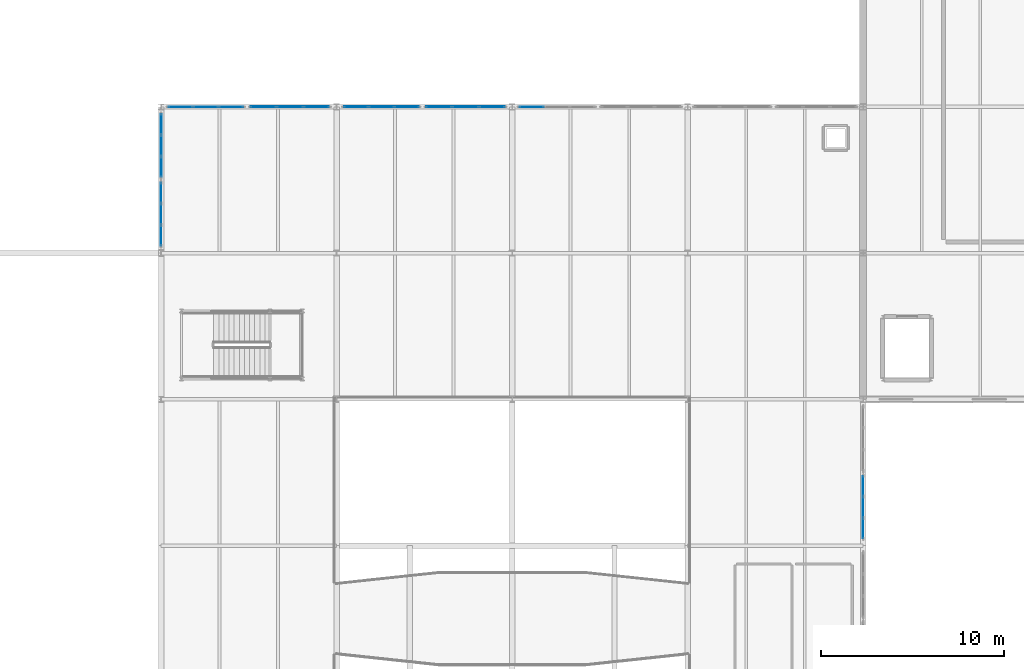
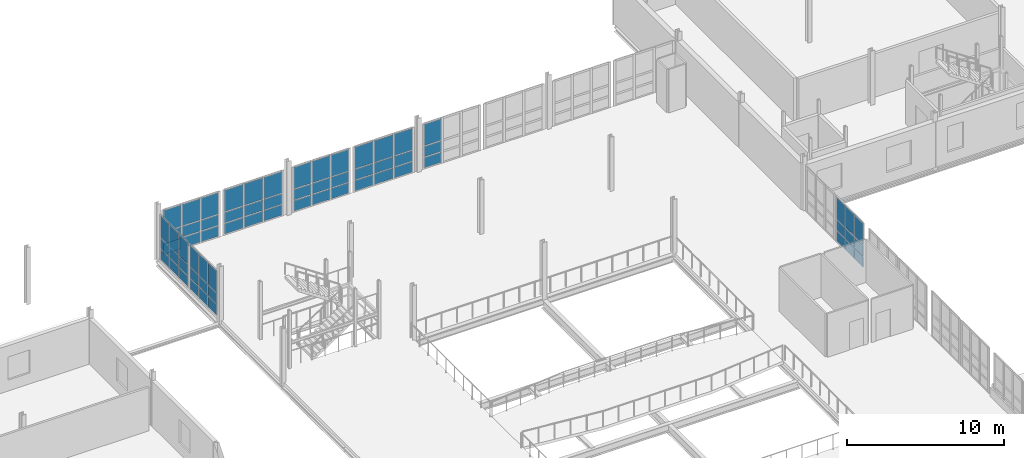
# One storey, part 50 of 73: 66 plates, 8 elements without a shape of their own.
"""IFC4 building model written with IfcOpenShell, lengths in metres."""

from ifc_helpers import new_model, si_unit, direction, frame, origin, origin_2d, place, context, subcontext, project, spatial, rectangle, extrude, material, layer, layer_set, type_object, element, aggregate, save


model = new_model("IFC4")

# Units and contexts
model_context = context("Model", 3, precision=1e-05, world=origin(), true_north=direction((0.0, 1.0)))
body_context = subcontext(model_context, "Body", "Model", "MODEL_VIEW")
ifc_project = project(units=[si_unit("LENGTHUNIT", "METRE"), si_unit("AREAUNIT", "SQUARE_METRE"), si_unit("VOLUMEUNIT", "CUBIC_METRE"), si_unit("PLANEANGLEUNIT", "RADIAN"), si_unit("MASSUNIT", "GRAM", prefix="KILO")], contexts=[model_context])

# Site, building, storey
site_placement = place(None, origin())
site = spatial("IfcSite", under=ifc_project, at=site_placement, CompositionType="ELEMENT")
building_placement = place(site_placement, origin())
building = spatial("IfcBuilding", under=site, at=building_placement, Name="Alderhovde Museum", CompositionType="ELEMENT")
storey_placement = place(building_placement, frame((0.0, 0.0, 12.89990234375)))
storey = spatial("IfcBuildingStorey", under=building, at=storey_placement, Name="L03", CompositionType="ELEMENT", Elevation=12.89990234375)

# Curtain wall, plates
ifc_material_1 = material(Name="Triple-Glazed Bronze-Anodised Curtain Wall", Category="glass")
ifc_layer_1 = layer(ifc_material_1, 0.179931640625)
ifc_layer_set_1 = layer_set([ifc_layer_1], Name="Triple-Glazed Bronze-Anodised Curtain Wall")
curtain_wall_type_1 = type_object("IfcCurtainWallType", Name="CW-UNIT-420x354", PredefinedType="USERDEFINED", material=ifc_layer_set_1)
curtain_wall_1_placement = place(storey_placement, origin())
curtain_wall_1 = element("IfcCurtainWall", 1, at=curtain_wall_1_placement, inside=storey, type_object=curtain_wall_type_1, Name="L03 Unitised Curtain Wall 48", ObjectType="UNITISED CURTAIN WALL", PredefinedType="USERDEFINED")
ifc_material_2 = material(Name="Triple-Glazed Low-E Laminated Glass", Category="glass")
ifc_layer_2 = layer(ifc_material_2, 0.028076171875)
ifc_layer_set_2 = layer_set([ifc_layer_2], Name="Triple-Glazed Low-E Laminated Glass")
plate_type_1 = type_object("IfcPlateType", Name="CWP-GLAZ-28", PredefinedType="CURTAIN_PANEL", material=ifc_layer_set_2)
plate_1_placement = place(storey_placement, frame((77.8662109375, 88.0, 0.06494140625), z_axis=(0.0, 0.0, 1.0), x_axis=(1.0, 0.0, 0.0)))
plate_1 = element("IfcPlate", 2, at=plate_1_placement, type_object=plate_type_1, Name="CW15 panel 1.1", PredefinedType="CURTAIN_PANEL", context=body_context, shape_type="SweptSolid", body=[
    extrude(rectangle(XDim=1.302490234375, YDim=0.028076171875, at=origin_2d()), origin(), (0.0, 0.0, 1.0), 0.802490234375),
])
plate_2_placement = place(storey_placement, frame((77.8662109375, 88.0, 0.9326171875), z_axis=(0.0, 0.0, 1.0), x_axis=(1.0, 0.0, 0.0)))
plate_2 = element("IfcPlate", 3, at=plate_2_placement, type_object=plate_type_1, Name="CW15 panel 1.2", PredefinedType="CURTAIN_PANEL", context=body_context, shape_type="SweptSolid", body=[
    extrude(rectangle(XDim=1.302490234375, YDim=0.028076171875, at=origin_2d()), origin(), (0.0, 0.0, 1.0), 0.804931640625),
])
plate_3_placement = place(storey_placement, frame((77.8662109375, 88.0, 1.802734375), z_axis=(0.0, 0.0, 1.0), x_axis=(1.0, 0.0, 0.0)))
plate_3 = element("IfcPlate", 4, at=plate_3_placement, type_object=plate_type_1, Name="CW15 panel 1.3", PredefinedType="CURTAIN_PANEL", context=body_context, shape_type="SweptSolid", body=[
    extrude(rectangle(XDim=1.302490234375, YDim=0.028076171875, at=origin_2d()), origin(), (0.0, 0.0, 1.0), 1.672607421875),
])
plate_4_placement = place(storey_placement, frame((79.25, 88.0, 0.06494140625), z_axis=(0.0, 0.0, 1.0), x_axis=(1.0, 0.0, 0.0)))
plate_4 = element("IfcPlate", 5, at=plate_4_placement, type_object=plate_type_1, Name="CW15 panel 2.1", PredefinedType="CURTAIN_PANEL", context=body_context, shape_type="SweptSolid", body=[
    extrude(rectangle(XDim=1.3349609375, YDim=0.028076171875, at=origin_2d()), origin(), (0.0, 0.0, 1.0), 0.802490234375),
])
plate_5_placement = place(storey_placement, frame((79.25, 88.0, 0.9326171875), z_axis=(0.0, 0.0, 1.0), x_axis=(1.0, 0.0, 0.0)))
plate_5 = element("IfcPlate", 6, at=plate_5_placement, type_object=plate_type_1, Name="CW15 panel 2.2", PredefinedType="CURTAIN_PANEL", context=body_context, shape_type="SweptSolid", body=[
    extrude(rectangle(XDim=1.3349609375, YDim=0.028076171875, at=origin_2d()), origin(), (0.0, 0.0, 1.0), 0.804931640625),
])
plate_6_placement = place(storey_placement, frame((79.25, 88.0, 1.802734375), z_axis=(0.0, 0.0, 1.0), x_axis=(1.0, 0.0, 0.0)))
plate_6 = element("IfcPlate", 7, at=plate_6_placement, type_object=plate_type_1, Name="CW15 panel 2.3", PredefinedType="CURTAIN_PANEL", context=body_context, shape_type="SweptSolid", body=[
    extrude(rectangle(XDim=1.3349609375, YDim=0.028076171875, at=origin_2d()), origin(), (0.0, 0.0, 1.0), 1.672607421875),
])
plate_7_placement = place(storey_placement, frame((80.6337890625, 88.0, 0.06494140625), z_axis=(0.0, 0.0, 1.0), x_axis=(1.0, 0.0, 0.0)))
plate_7 = element("IfcPlate", 8, at=plate_7_placement, type_object=plate_type_1, Name="CW15 panel 3.1", PredefinedType="CURTAIN_PANEL", context=body_context, shape_type="SweptSolid", body=[
    extrude(rectangle(XDim=1.302490234375, YDim=0.028076171875, at=origin_2d()), origin(), (0.0, 0.0, 1.0), 0.802490234375),
])
plate_8_placement = place(storey_placement, frame((80.6337890625, 88.0, 0.9326171875), z_axis=(0.0, 0.0, 1.0), x_axis=(1.0, 0.0, 0.0)))
plate_8 = element("IfcPlate", 9, at=plate_8_placement, type_object=plate_type_1, Name="CW15 panel 3.2", PredefinedType="CURTAIN_PANEL", context=body_context, shape_type="SweptSolid", body=[
    extrude(rectangle(XDim=1.302490234375, YDim=0.028076171875, at=origin_2d()), origin(), (0.0, 0.0, 1.0), 0.804931640625),
])
plate_9_placement = place(storey_placement, frame((80.6337890625, 88.0, 1.802734375), z_axis=(0.0, 0.0, 1.0), x_axis=(1.0, 0.0, 0.0)))
plate_9 = element("IfcPlate", 10, at=plate_9_placement, type_object=plate_type_1, Name="CW15 panel 3.3", PredefinedType="CURTAIN_PANEL", context=body_context, shape_type="SweptSolid", body=[
    extrude(rectangle(XDim=1.302490234375, YDim=0.028076171875, at=origin_2d()), origin(), (0.0, 0.0, 1.0), 1.672607421875),
])
aggregate(curtain_wall_1, [plate_1, plate_2, plate_3, plate_4, plate_5, plate_6, plate_7, plate_8, plate_9])

curtain_wall_2_placement = place(storey_placement, origin())
curtain_wall_2 = element("IfcCurtainWall", 11, at=curtain_wall_2_placement, inside=storey, type_object=curtain_wall_type_1, Name="L03 Unitised Curtain Wall 52", ObjectType="UNITISED CURTAIN WALL", PredefinedType="USERDEFINED")
plate_10_placement = place(storey_placement, frame((97.066162109375, 88.0, 0.06494140625), z_axis=(0.0, 0.0, 1.0), x_axis=(1.0, 0.0, 0.0)))
plate_10 = element("IfcPlate", 12, at=plate_10_placement, type_object=plate_type_1, Name="CW15 panel 1.1", PredefinedType="CURTAIN_PANEL", context=body_context, shape_type="SweptSolid", body=[
    extrude(rectangle(XDim=1.302490234375, YDim=0.028076171875, at=origin_2d()), origin(), (0.0, 0.0, 1.0), 0.802490234375),
])
plate_11_placement = place(storey_placement, frame((97.066162109375, 88.0, 0.9326171875), z_axis=(0.0, 0.0, 1.0), x_axis=(1.0, 0.0, 0.0)))
plate_11 = element("IfcPlate", 13, at=plate_11_placement, type_object=plate_type_1, Name="CW15 panel 1.2", PredefinedType="CURTAIN_PANEL", context=body_context, shape_type="SweptSolid", body=[
    extrude(rectangle(XDim=1.302490234375, YDim=0.028076171875, at=origin_2d()), origin(), (0.0, 0.0, 1.0), 0.804931640625),
])
plate_12_placement = place(storey_placement, frame((97.066162109375, 88.0, 1.802734375), z_axis=(0.0, 0.0, 1.0), x_axis=(1.0, 0.0, 0.0)))
plate_12 = element("IfcPlate", 14, at=plate_12_placement, type_object=plate_type_1, Name="CW15 panel 1.3", PredefinedType="CURTAIN_PANEL", context=body_context, shape_type="SweptSolid", body=[
    extrude(rectangle(XDim=1.302490234375, YDim=0.028076171875, at=origin_2d()), origin(), (0.0, 0.0, 1.0), 1.672607421875),
])
aggregate(curtain_wall_2, [plate_10, plate_11, plate_12])

ifc_material_3 = material(Name="Triple-Glazed Bronze-Anodised Curtain Wall", Category="glass")
ifc_layer_3 = layer(ifc_material_3, 0.179931640625)
ifc_layer_set_3 = layer_set([ifc_layer_3], Name="Triple-Glazed Bronze-Anodised Curtain Wall")
curtain_wall_type_2 = type_object("IfcCurtainWallType", Name="CW-UNIT-350x354", PredefinedType="USERDEFINED", material=ifc_layer_set_3)
curtain_wall_3_placement = place(storey_placement, origin())
curtain_wall_3 = element("IfcCurtainWall", 15, at=curtain_wall_3_placement, inside=storey, type_object=curtain_wall_type_2, Name="L03 Unitised Curtain Wall 76", ObjectType="UNITISED CURTAIN WALL", PredefinedType="USERDEFINED")
plate_13_placement = place(storey_placement, frame((115.199951171875, 64.949462890625, 0.06494140625), z_axis=(0.0, 0.0, 1.0), x_axis=(0.0, 1.0, 0.0)))
plate_13 = element("IfcPlate", 16, at=plate_13_placement, type_object=plate_type_1, Name="CW19 panel 1.1", PredefinedType="CURTAIN_PANEL", context=body_context, shape_type="SweptSolid", body=[
    extrude(rectangle(XDim=1.069091796875, YDim=0.028076171875, at=origin_2d()), origin(), (0.0, 0.0, 1.0), 0.802490234375),
])
plate_14_placement = place(storey_placement, frame((115.199951171875, 64.949462890625, 0.9326171875), z_axis=(0.0, 0.0, 1.0), x_axis=(0.0, 1.0, 0.0)))
plate_14 = element("IfcPlate", 17, at=plate_14_placement, type_object=plate_type_1, Name="CW19 panel 1.2", PredefinedType="CURTAIN_PANEL", context=body_context, shape_type="SweptSolid", body=[
    extrude(rectangle(XDim=1.069091796875, YDim=0.028076171875, at=origin_2d()), origin(), (0.0, 0.0, 1.0), 0.804931640625),
])
plate_15_placement = place(storey_placement, frame((115.199951171875, 64.949462890625, 1.802734375), z_axis=(0.0, 0.0, 1.0), x_axis=(0.0, 1.0, 0.0)))
plate_15 = element("IfcPlate", 18, at=plate_15_placement, type_object=plate_type_1, Name="CW19 panel 1.3", PredefinedType="CURTAIN_PANEL", context=body_context, shape_type="SweptSolid", body=[
    extrude(rectangle(XDim=1.069091796875, YDim=0.028076171875, at=origin_2d()), origin(), (0.0, 0.0, 1.0), 1.672607421875),
])
plate_16_placement = place(storey_placement, frame((115.199951171875, 66.10009765625, 0.06494140625), z_axis=(0.0, 0.0, 1.0), x_axis=(0.0, 1.0, 0.0)))
plate_16 = element("IfcPlate", 19, at=plate_16_placement, type_object=plate_type_1, Name="CW19 panel 2.1", PredefinedType="CURTAIN_PANEL", context=body_context, shape_type="SweptSolid", body=[
    extrude(rectangle(XDim=1.1015625, YDim=0.028076171875, at=origin_2d()), origin(), (0.0, 0.0, 1.0), 0.802490234375),
])
plate_17_placement = place(storey_placement, frame((115.199951171875, 66.10009765625, 0.9326171875), z_axis=(0.0, 0.0, 1.0), x_axis=(0.0, 1.0, 0.0)))
plate_17 = element("IfcPlate", 20, at=plate_17_placement, type_object=plate_type_1, Name="CW19 panel 2.2", PredefinedType="CURTAIN_PANEL", context=body_context, shape_type="SweptSolid", body=[
    extrude(rectangle(XDim=1.1015625, YDim=0.028076171875, at=origin_2d()), origin(), (0.0, 0.0, 1.0), 0.804931640625),
])
plate_18_placement = place(storey_placement, frame((115.199951171875, 66.10009765625, 1.802734375), z_axis=(0.0, 0.0, 1.0), x_axis=(0.0, 1.0, 0.0)))
plate_18 = element("IfcPlate", 21, at=plate_18_placement, type_object=plate_type_1, Name="CW19 panel 2.3", PredefinedType="CURTAIN_PANEL", context=body_context, shape_type="SweptSolid", body=[
    extrude(rectangle(XDim=1.1015625, YDim=0.028076171875, at=origin_2d()), origin(), (0.0, 0.0, 1.0), 1.672607421875),
])
plate_19_placement = place(storey_placement, frame((115.199951171875, 67.25048828125, 0.06494140625), z_axis=(0.0, 0.0, 1.0), x_axis=(0.0, 1.0, 0.0)))
plate_19 = element("IfcPlate", 22, at=plate_19_placement, type_object=plate_type_1, Name="CW19 panel 3.1", PredefinedType="CURTAIN_PANEL", context=body_context, shape_type="SweptSolid", body=[
    extrude(rectangle(XDim=1.069091796875, YDim=0.028076171875, at=origin_2d()), origin(), (0.0, 0.0, 1.0), 0.802490234375),
])
plate_20_placement = place(storey_placement, frame((115.199951171875, 67.25048828125, 0.9326171875), z_axis=(0.0, 0.0, 1.0), x_axis=(0.0, 1.0, 0.0)))
plate_20 = element("IfcPlate", 23, at=plate_20_placement, type_object=plate_type_1, Name="CW19 panel 3.2", PredefinedType="CURTAIN_PANEL", context=body_context, shape_type="SweptSolid", body=[
    extrude(rectangle(XDim=1.069091796875, YDim=0.028076171875, at=origin_2d()), origin(), (0.0, 0.0, 1.0), 0.804931640625),
])
plate_21_placement = place(storey_placement, frame((115.199951171875, 67.25048828125, 1.802734375), z_axis=(0.0, 0.0, 1.0), x_axis=(0.0, 1.0, 0.0)))
plate_21 = element("IfcPlate", 24, at=plate_21_placement, type_object=plate_type_1, Name="CW19 panel 3.3", PredefinedType="CURTAIN_PANEL", context=body_context, shape_type="SweptSolid", body=[
    extrude(rectangle(XDim=1.069091796875, YDim=0.028076171875, at=origin_2d()), origin(), (0.0, 0.0, 1.0), 1.672607421875),
])
aggregate(curtain_wall_3, [plate_13, plate_14, plate_15, plate_16, plate_17, plate_18, plate_19, plate_20, plate_21])

ifc_material_4 = material(Name="Triple-Glazed Bronze-Anodised Curtain Wall", Category="glass")
ifc_layer_4 = layer(ifc_material_4, 0.179931640625)
ifc_layer_set_4 = layer_set([ifc_layer_4], Name="Triple-Glazed Bronze-Anodised Curtain Wall")
curtain_wall_type_3 = type_object("IfcCurtainWallType", Name="CW-UNIT-440x354", PredefinedType="USERDEFINED", material=ifc_layer_set_4)
curtain_wall_4_placement = place(storey_placement, origin())
curtain_wall_4 = element("IfcCurtainWall", 25, at=curtain_wall_4_placement, inside=storey, type_object=curtain_wall_type_3, Name="L03 Unitised Curtain Wall 49", ObjectType="UNITISED CURTAIN WALL", PredefinedType="USERDEFINED")
ifc_material_5 = material(Name="Triple-Glazed Low-E Laminated Glass", Category="glass")
ifc_layer_5 = layer(ifc_material_5, 0.035888671875)
ifc_layer_set_5 = layer_set([ifc_layer_5], Name="Triple-Glazed Low-E Laminated Glass")
plate_type_2 = type_object("IfcPlateType", Name="CWP-GLAZ-36", PredefinedType="CURTAIN_PANEL", material=ifc_layer_set_5)
plate_22_placement = place(storey_placement, frame((82.399658203125, 88.0, 0.06494140625), z_axis=(0.0, 0.0, 1.0), x_axis=(1.0, 0.0, 0.0)))
plate_22 = element("IfcPlate", 26, at=plate_22_placement, type_object=plate_type_2, Name="CW16 panel 1.1", PredefinedType="CURTAIN_PANEL", context=body_context, shape_type="SweptSolid", body=[
    extrude(rectangle(XDim=1.369140625, YDim=0.035888671875, at=origin_2d()), origin(), (0.0, 0.0, 1.0), 0.802490234375),
])
plate_23_placement = place(storey_placement, frame((82.399658203125, 88.0, 0.9326171875), z_axis=(0.0, 0.0, 1.0), x_axis=(1.0, 0.0, 0.0)))
plate_23 = element("IfcPlate", 27, at=plate_23_placement, type_object=plate_type_2, Name="CW16 panel 1.2", PredefinedType="CURTAIN_PANEL", context=body_context, shape_type="SweptSolid", body=[
    extrude(rectangle(XDim=1.369140625, YDim=0.035888671875, at=origin_2d()), origin(), (0.0, 0.0, 1.0), 0.804931640625),
])
plate_24_placement = place(storey_placement, frame((82.399658203125, 88.0, 1.802734375), z_axis=(0.0, 0.0, 1.0), x_axis=(1.0, 0.0, 0.0)))
plate_24 = element("IfcPlate", 28, at=plate_24_placement, type_object=plate_type_2, Name="CW16 panel 1.3", PredefinedType="CURTAIN_PANEL", context=body_context, shape_type="SweptSolid", body=[
    extrude(rectangle(XDim=1.369140625, YDim=0.035888671875, at=origin_2d()), origin(), (0.0, 0.0, 1.0), 1.672607421875),
])
plate_25_placement = place(storey_placement, frame((83.85009765625, 88.0, 0.06494140625), z_axis=(0.0, 0.0, 1.0), x_axis=(1.0, 0.0, 0.0)))
plate_25 = element("IfcPlate", 29, at=plate_25_placement, type_object=plate_type_2, Name="CW16 panel 2.1", PredefinedType="CURTAIN_PANEL", context=body_context, shape_type="SweptSolid", body=[
    extrude(rectangle(XDim=1.401611328125, YDim=0.035888671875, at=origin_2d()), origin(), (0.0, 0.0, 1.0), 0.802490234375),
])
plate_26_placement = place(storey_placement, frame((83.85009765625, 88.0, 0.9326171875), z_axis=(0.0, 0.0, 1.0), x_axis=(1.0, 0.0, 0.0)))
plate_26 = element("IfcPlate", 30, at=plate_26_placement, type_object=plate_type_2, Name="CW16 panel 2.2", PredefinedType="CURTAIN_PANEL", context=body_context, shape_type="SweptSolid", body=[
    extrude(rectangle(XDim=1.401611328125, YDim=0.035888671875, at=origin_2d()), origin(), (0.0, 0.0, 1.0), 0.804931640625),
])
plate_27_placement = place(storey_placement, frame((83.85009765625, 88.0, 1.802734375), z_axis=(0.0, 0.0, 1.0), x_axis=(1.0, 0.0, 0.0)))
plate_27 = element("IfcPlate", 31, at=plate_27_placement, type_object=plate_type_2, Name="CW16 panel 2.3", PredefinedType="CURTAIN_PANEL", context=body_context, shape_type="SweptSolid", body=[
    extrude(rectangle(XDim=1.401611328125, YDim=0.035888671875, at=origin_2d()), origin(), (0.0, 0.0, 1.0), 1.672607421875),
])
plate_28_placement = place(storey_placement, frame((85.300537109375, 88.0, 0.06494140625), z_axis=(0.0, 0.0, 1.0), x_axis=(1.0, 0.0, 0.0)))
plate_28 = element("IfcPlate", 32, at=plate_28_placement, type_object=plate_type_2, Name="CW16 panel 3.1", PredefinedType="CURTAIN_PANEL", context=body_context, shape_type="SweptSolid", body=[
    extrude(rectangle(XDim=1.369140625, YDim=0.035888671875, at=origin_2d()), origin(), (0.0, 0.0, 1.0), 0.802490234375),
])
plate_29_placement = place(storey_placement, frame((85.300537109375, 88.0, 0.9326171875), z_axis=(0.0, 0.0, 1.0), x_axis=(1.0, 0.0, 0.0)))
plate_29 = element("IfcPlate", 33, at=plate_29_placement, type_object=plate_type_2, Name="CW16 panel 3.2", PredefinedType="CURTAIN_PANEL", context=body_context, shape_type="SweptSolid", body=[
    extrude(rectangle(XDim=1.369140625, YDim=0.035888671875, at=origin_2d()), origin(), (0.0, 0.0, 1.0), 0.804931640625),
])
plate_30_placement = place(storey_placement, frame((85.300537109375, 88.0, 1.802734375), z_axis=(0.0, 0.0, 1.0), x_axis=(1.0, 0.0, 0.0)))
plate_30 = element("IfcPlate", 34, at=plate_30_placement, type_object=plate_type_2, Name="CW16 panel 3.3", PredefinedType="CURTAIN_PANEL", context=body_context, shape_type="SweptSolid", body=[
    extrude(rectangle(XDim=1.369140625, YDim=0.035888671875, at=origin_2d()), origin(), (0.0, 0.0, 1.0), 1.672607421875),
])
aggregate(curtain_wall_4, [plate_22, plate_23, plate_24, plate_25, plate_26, plate_27, plate_28, plate_29, plate_30])

curtain_wall_5_placement = place(storey_placement, origin())
curtain_wall_5 = element("IfcCurtainWall", 35, at=curtain_wall_5_placement, inside=storey, type_object=curtain_wall_type_1, Name="L03 Unitised Curtain Wall 50", ObjectType="UNITISED CURTAIN WALL", PredefinedType="USERDEFINED")
ifc_material_6 = material(Name="Triple-Glazed Low-E Laminated Glass", Category="glass")
ifc_layer_6 = layer(ifc_material_6, 0.0439453125)
ifc_layer_set_6 = layer_set([ifc_layer_6], Name="Triple-Glazed Low-E Laminated Glass")
plate_type_3 = type_object("IfcPlateType", Name="CWP-GLAZ-44", PredefinedType="CURTAIN_PANEL", material=ifc_layer_set_6)
plate_31_placement = place(storey_placement, frame((87.46630859375, 88.0, 0.06494140625), z_axis=(0.0, 0.0, 1.0), x_axis=(1.0, 0.0, 0.0)))
plate_31 = element("IfcPlate", 36, at=plate_31_placement, type_object=plate_type_3, Name="CW15 panel 1.1", PredefinedType="CURTAIN_PANEL", context=body_context, shape_type="SweptSolid", body=[
    extrude(rectangle(XDim=1.302490234375, YDim=0.0439453125, at=origin_2d()), origin(), (0.0, 0.0, 1.0), 0.802490234375),
])
plate_32_placement = place(storey_placement, frame((87.46630859375, 88.0, 0.9326171875), z_axis=(0.0, 0.0, 1.0), x_axis=(1.0, 0.0, 0.0)))
plate_32 = element("IfcPlate", 37, at=plate_32_placement, type_object=plate_type_3, Name="CW15 panel 1.2", PredefinedType="CURTAIN_PANEL", context=body_context, shape_type="SweptSolid", body=[
    extrude(rectangle(XDim=1.302490234375, YDim=0.0439453125, at=origin_2d()), origin(), (0.0, 0.0, 1.0), 0.804931640625),
])
plate_33_placement = place(storey_placement, frame((87.46630859375, 88.0, 1.802734375), z_axis=(0.0, 0.0, 1.0), x_axis=(1.0, 0.0, 0.0)))
plate_33 = element("IfcPlate", 38, at=plate_33_placement, type_object=plate_type_3, Name="CW15 panel 1.3", PredefinedType="CURTAIN_PANEL", context=body_context, shape_type="SweptSolid", body=[
    extrude(rectangle(XDim=1.302490234375, YDim=0.0439453125, at=origin_2d()), origin(), (0.0, 0.0, 1.0), 1.672607421875),
])
plate_34_placement = place(storey_placement, frame((88.85009765625, 88.0, 0.06494140625), z_axis=(0.0, 0.0, 1.0), x_axis=(1.0, 0.0, 0.0)))
plate_34 = element("IfcPlate", 39, at=plate_34_placement, type_object=plate_type_3, Name="CW15 panel 2.1", PredefinedType="CURTAIN_PANEL", context=body_context, shape_type="SweptSolid", body=[
    extrude(rectangle(XDim=1.3349609375, YDim=0.0439453125, at=origin_2d()), origin(), (0.0, 0.0, 1.0), 0.802490234375),
])
plate_35_placement = place(storey_placement, frame((88.85009765625, 88.0, 0.9326171875), z_axis=(0.0, 0.0, 1.0), x_axis=(1.0, 0.0, 0.0)))
plate_35 = element("IfcPlate", 40, at=plate_35_placement, type_object=plate_type_3, Name="CW15 panel 2.2", PredefinedType="CURTAIN_PANEL", context=body_context, shape_type="SweptSolid", body=[
    extrude(rectangle(XDim=1.3349609375, YDim=0.0439453125, at=origin_2d()), origin(), (0.0, 0.0, 1.0), 0.804931640625),
])
plate_36_placement = place(storey_placement, frame((88.85009765625, 88.0, 1.802734375), z_axis=(0.0, 0.0, 1.0), x_axis=(1.0, 0.0, 0.0)))
plate_36 = element("IfcPlate", 41, at=plate_36_placement, type_object=plate_type_3, Name="CW15 panel 2.3", PredefinedType="CURTAIN_PANEL", context=body_context, shape_type="SweptSolid", body=[
    extrude(rectangle(XDim=1.3349609375, YDim=0.0439453125, at=origin_2d()), origin(), (0.0, 0.0, 1.0), 1.672607421875),
])
plate_37_placement = place(storey_placement, frame((90.233642578125, 88.0, 0.06494140625), z_axis=(0.0, 0.0, 1.0), x_axis=(1.0, 0.0, 0.0)))
plate_37 = element("IfcPlate", 42, at=plate_37_placement, type_object=plate_type_3, Name="CW15 panel 3.1", PredefinedType="CURTAIN_PANEL", context=body_context, shape_type="SweptSolid", body=[
    extrude(rectangle(XDim=1.302490234375, YDim=0.0439453125, at=origin_2d()), origin(), (0.0, 0.0, 1.0), 0.802490234375),
])
plate_38_placement = place(storey_placement, frame((90.233642578125, 88.0, 0.9326171875), z_axis=(0.0, 0.0, 1.0), x_axis=(1.0, 0.0, 0.0)))
plate_38 = element("IfcPlate", 43, at=plate_38_placement, type_object=plate_type_3, Name="CW15 panel 3.2", PredefinedType="CURTAIN_PANEL", context=body_context, shape_type="SweptSolid", body=[
    extrude(rectangle(XDim=1.302490234375, YDim=0.0439453125, at=origin_2d()), origin(), (0.0, 0.0, 1.0), 0.804931640625),
])
plate_39_placement = place(storey_placement, frame((90.233642578125, 88.0, 1.802734375), z_axis=(0.0, 0.0, 1.0), x_axis=(1.0, 0.0, 0.0)))
plate_39 = element("IfcPlate", 44, at=plate_39_placement, type_object=plate_type_3, Name="CW15 panel 3.3", PredefinedType="CURTAIN_PANEL", context=body_context, shape_type="SweptSolid", body=[
    extrude(rectangle(XDim=1.302490234375, YDim=0.0439453125, at=origin_2d()), origin(), (0.0, 0.0, 1.0), 1.672607421875),
])
aggregate(curtain_wall_5, [plate_31, plate_32, plate_33, plate_34, plate_35, plate_36, plate_37, plate_38, plate_39])

ifc_material_7 = material(Name="Triple-Glazed Bronze-Anodised Curtain Wall", Category="glass")
ifc_layer_7 = layer(ifc_material_7, 0.179931640625)
ifc_layer_set_7 = layer_set([ifc_layer_7], Name="Triple-Glazed Bronze-Anodised Curtain Wall")
curtain_wall_type_4 = type_object("IfcCurtainWallType", Name="CW-STIC-355x354", PredefinedType="USERDEFINED", material=ifc_layer_set_7)
curtain_wall_6_placement = place(storey_placement, origin())
curtain_wall_6 = element("IfcCurtainWall", 45, at=curtain_wall_6_placement, inside=storey, type_object=curtain_wall_type_4, Name="L03 Stick Curtain Wall 66", ObjectType="STICK CURTAIN WALL", PredefinedType="USERDEFINED")
plate_40_placement = place(storey_placement, frame((76.800048828125, 80.9580078125, 0.06494140625), z_axis=(0.0, 0.0, 1.0), x_axis=(0.0, 1.0, 0.0)))
plate_40 = element("IfcPlate", 46, at=plate_40_placement, type_object=plate_type_3, Name="CW18 panel 1.1", PredefinedType="CURTAIN_PANEL", context=body_context, shape_type="SweptSolid", body=[
    extrude(rectangle(XDim=1.0859375, YDim=0.0439453125, at=origin_2d()), origin(), (0.0, 0.0, 1.0), 0.802490234375),
])
plate_41_placement = place(storey_placement, frame((76.800048828125, 80.9580078125, 0.9326171875), z_axis=(0.0, 0.0, 1.0), x_axis=(0.0, 1.0, 0.0)))
plate_41 = element("IfcPlate", 47, at=plate_41_placement, type_object=plate_type_3, Name="CW18 panel 1.2", PredefinedType="CURTAIN_PANEL", context=body_context, shape_type="SweptSolid", body=[
    extrude(rectangle(XDim=1.0859375, YDim=0.0439453125, at=origin_2d()), origin(), (0.0, 0.0, 1.0), 0.804931640625),
])
plate_42_placement = place(storey_placement, frame((76.800048828125, 80.9580078125, 1.802734375), z_axis=(0.0, 0.0, 1.0), x_axis=(0.0, 1.0, 0.0)))
plate_42 = element("IfcPlate", 48, at=plate_42_placement, type_object=plate_type_3, Name="CW18 panel 1.3", PredefinedType="CURTAIN_PANEL", context=body_context, shape_type="SweptSolid", body=[
    extrude(rectangle(XDim=1.0859375, YDim=0.0439453125, at=origin_2d()), origin(), (0.0, 0.0, 1.0), 1.672607421875),
])
plate_43_placement = place(storey_placement, frame((76.800048828125, 82.125, 0.06494140625), z_axis=(0.0, 0.0, 1.0), x_axis=(0.0, 1.0, 0.0)))
plate_43 = element("IfcPlate", 49, at=plate_43_placement, type_object=plate_type_3, Name="CW18 panel 2.1", PredefinedType="CURTAIN_PANEL", context=body_context, shape_type="SweptSolid", body=[
    extrude(rectangle(XDim=1.118408203125, YDim=0.0439453125, at=origin_2d()), origin(), (0.0, 0.0, 1.0), 0.802490234375),
])
plate_44_placement = place(storey_placement, frame((76.800048828125, 82.125, 0.9326171875), z_axis=(0.0, 0.0, 1.0), x_axis=(0.0, 1.0, 0.0)))
plate_44 = element("IfcPlate", 50, at=plate_44_placement, type_object=plate_type_3, Name="CW18 panel 2.2", PredefinedType="CURTAIN_PANEL", context=body_context, shape_type="SweptSolid", body=[
    extrude(rectangle(XDim=1.118408203125, YDim=0.0439453125, at=origin_2d()), origin(), (0.0, 0.0, 1.0), 0.804931640625),
])
plate_45_placement = place(storey_placement, frame((76.800048828125, 82.125, 1.802734375), z_axis=(0.0, 0.0, 1.0), x_axis=(0.0, 1.0, 0.0)))
plate_45 = element("IfcPlate", 51, at=plate_45_placement, type_object=plate_type_3, Name="CW18 panel 2.3", PredefinedType="CURTAIN_PANEL", context=body_context, shape_type="SweptSolid", body=[
    extrude(rectangle(XDim=1.118408203125, YDim=0.0439453125, at=origin_2d()), origin(), (0.0, 0.0, 1.0), 1.672607421875),
])
plate_46_placement = place(storey_placement, frame((76.800048828125, 83.2919921875, 0.06494140625), z_axis=(0.0, 0.0, 1.0), x_axis=(0.0, 1.0, 0.0)))
plate_46 = element("IfcPlate", 52, at=plate_46_placement, type_object=plate_type_3, Name="CW18 panel 3.1", PredefinedType="CURTAIN_PANEL", context=body_context, shape_type="SweptSolid", body=[
    extrude(rectangle(XDim=1.0859375, YDim=0.0439453125, at=origin_2d()), origin(), (0.0, 0.0, 1.0), 0.802490234375),
])
plate_47_placement = place(storey_placement, frame((76.800048828125, 83.2919921875, 0.9326171875), z_axis=(0.0, 0.0, 1.0), x_axis=(0.0, 1.0, 0.0)))
plate_47 = element("IfcPlate", 53, at=plate_47_placement, type_object=plate_type_3, Name="CW18 panel 3.2", PredefinedType="CURTAIN_PANEL", context=body_context, shape_type="SweptSolid", body=[
    extrude(rectangle(XDim=1.0859375, YDim=0.0439453125, at=origin_2d()), origin(), (0.0, 0.0, 1.0), 0.804931640625),
])
plate_48_placement = place(storey_placement, frame((76.800048828125, 83.2919921875, 1.802734375), z_axis=(0.0, 0.0, 1.0), x_axis=(0.0, 1.0, 0.0)))
plate_48 = element("IfcPlate", 54, at=plate_48_placement, type_object=plate_type_3, Name="CW18 panel 3.3", PredefinedType="CURTAIN_PANEL", context=body_context, shape_type="SweptSolid", body=[
    extrude(rectangle(XDim=1.0859375, YDim=0.0439453125, at=origin_2d()), origin(), (0.0, 0.0, 1.0), 1.672607421875),
])
aggregate(curtain_wall_6, [plate_40, plate_41, plate_42, plate_43, plate_44, plate_45, plate_46, plate_47, plate_48])

curtain_wall_7_placement = place(storey_placement, origin())
curtain_wall_7 = element("IfcCurtainWall", 55, at=curtain_wall_7_placement, inside=storey, type_object=curtain_wall_type_3, Name="L03 Unitised Curtain Wall 51", ObjectType="UNITISED CURTAIN WALL", PredefinedType="USERDEFINED")
ifc_material_8 = material(Name="Triple-Glazed Low-E Laminated Glass", Category="glass")
ifc_layer_8 = layer(ifc_material_8, 0.052001953125)
ifc_layer_set_8 = layer_set([ifc_layer_8], Name="Triple-Glazed Low-E Laminated Glass")
plate_type_4 = type_object("IfcPlateType", Name="CWP-GLAZ-52", PredefinedType="CURTAIN_PANEL", material=ifc_layer_set_8)
plate_49_placement = place(storey_placement, frame((91.99951171875, 88.0, 0.06494140625), z_axis=(0.0, 0.0, 1.0), x_axis=(1.0, 0.0, 0.0)))
plate_49 = element("IfcPlate", 56, at=plate_49_placement, type_object=plate_type_4, Name="CW16 panel 1.1", PredefinedType="CURTAIN_PANEL", context=body_context, shape_type="SweptSolid", body=[
    extrude(rectangle(XDim=1.369140625, YDim=0.052001953125, at=origin_2d()), origin(), (0.0, 0.0, 1.0), 0.802490234375),
])
plate_50_placement = place(storey_placement, frame((91.99951171875, 88.0, 0.9326171875), z_axis=(0.0, 0.0, 1.0), x_axis=(1.0, 0.0, 0.0)))
plate_50 = element("IfcPlate", 57, at=plate_50_placement, type_object=plate_type_4, Name="CW16 panel 1.2", PredefinedType="CURTAIN_PANEL", context=body_context, shape_type="SweptSolid", body=[
    extrude(rectangle(XDim=1.369140625, YDim=0.052001953125, at=origin_2d()), origin(), (0.0, 0.0, 1.0), 0.804931640625),
])
plate_51_placement = place(storey_placement, frame((91.99951171875, 88.0, 1.802734375), z_axis=(0.0, 0.0, 1.0), x_axis=(1.0, 0.0, 0.0)))
plate_51 = element("IfcPlate", 58, at=plate_51_placement, type_object=plate_type_4, Name="CW16 panel 1.3", PredefinedType="CURTAIN_PANEL", context=body_context, shape_type="SweptSolid", body=[
    extrude(rectangle(XDim=1.369140625, YDim=0.052001953125, at=origin_2d()), origin(), (0.0, 0.0, 1.0), 1.672607421875),
])
plate_52_placement = place(storey_placement, frame((93.449951171875, 88.0, 0.06494140625), z_axis=(0.0, 0.0, 1.0), x_axis=(1.0, 0.0, 0.0)))
plate_52 = element("IfcPlate", 59, at=plate_52_placement, type_object=plate_type_4, Name="CW16 panel 2.1", PredefinedType="CURTAIN_PANEL", context=body_context, shape_type="SweptSolid", body=[
    extrude(rectangle(XDim=1.401611328125, YDim=0.052001953125, at=origin_2d()), origin(), (0.0, 0.0, 1.0), 0.802490234375),
])
plate_53_placement = place(storey_placement, frame((93.449951171875, 88.0, 0.9326171875), z_axis=(0.0, 0.0, 1.0), x_axis=(1.0, 0.0, 0.0)))
plate_53 = element("IfcPlate", 60, at=plate_53_placement, type_object=plate_type_4, Name="CW16 panel 2.2", PredefinedType="CURTAIN_PANEL", context=body_context, shape_type="SweptSolid", body=[
    extrude(rectangle(XDim=1.401611328125, YDim=0.052001953125, at=origin_2d()), origin(), (0.0, 0.0, 1.0), 0.804931640625),
])
plate_54_placement = place(storey_placement, frame((93.449951171875, 88.0, 1.802734375), z_axis=(0.0, 0.0, 1.0), x_axis=(1.0, 0.0, 0.0)))
plate_54 = element("IfcPlate", 61, at=plate_54_placement, type_object=plate_type_4, Name="CW16 panel 2.3", PredefinedType="CURTAIN_PANEL", context=body_context, shape_type="SweptSolid", body=[
    extrude(rectangle(XDim=1.401611328125, YDim=0.052001953125, at=origin_2d()), origin(), (0.0, 0.0, 1.0), 1.672607421875),
])
plate_55_placement = place(storey_placement, frame((94.900390625, 88.0, 0.06494140625), z_axis=(0.0, 0.0, 1.0), x_axis=(1.0, 0.0, 0.0)))
plate_55 = element("IfcPlate", 62, at=plate_55_placement, type_object=plate_type_4, Name="CW16 panel 3.1", PredefinedType="CURTAIN_PANEL", context=body_context, shape_type="SweptSolid", body=[
    extrude(rectangle(XDim=1.369140625, YDim=0.052001953125, at=origin_2d()), origin(), (0.0, 0.0, 1.0), 0.802490234375),
])
plate_56_placement = place(storey_placement, frame((94.900390625, 88.0, 0.9326171875), z_axis=(0.0, 0.0, 1.0), x_axis=(1.0, 0.0, 0.0)))
plate_56 = element("IfcPlate", 63, at=plate_56_placement, type_object=plate_type_4, Name="CW16 panel 3.2", PredefinedType="CURTAIN_PANEL", context=body_context, shape_type="SweptSolid", body=[
    extrude(rectangle(XDim=1.369140625, YDim=0.052001953125, at=origin_2d()), origin(), (0.0, 0.0, 1.0), 0.804931640625),
])
plate_57_placement = place(storey_placement, frame((94.900390625, 88.0, 1.802734375), z_axis=(0.0, 0.0, 1.0), x_axis=(1.0, 0.0, 0.0)))
plate_57 = element("IfcPlate", 64, at=plate_57_placement, type_object=plate_type_4, Name="CW16 panel 3.3", PredefinedType="CURTAIN_PANEL", context=body_context, shape_type="SweptSolid", body=[
    extrude(rectangle(XDim=1.369140625, YDim=0.052001953125, at=origin_2d()), origin(), (0.0, 0.0, 1.0), 1.672607421875),
])
aggregate(curtain_wall_7, [plate_49, plate_50, plate_51, plate_52, plate_53, plate_54, plate_55, plate_56, plate_57])

curtain_wall_8_placement = place(storey_placement, origin())
curtain_wall_8 = element("IfcCurtainWall", 65, at=curtain_wall_8_placement, inside=storey, type_object=curtain_wall_type_4, Name="L03 Stick Curtain Wall 67", ObjectType="STICK CURTAIN WALL", PredefinedType="USERDEFINED")
plate_58_placement = place(storey_placement, frame((76.800048828125, 84.7080078125, 0.06494140625), z_axis=(0.0, 0.0, 1.0), x_axis=(0.0, 1.0, 0.0)))
plate_58 = element("IfcPlate", 66, at=plate_58_placement, type_object=plate_type_4, Name="CW18 panel 1.1", PredefinedType="CURTAIN_PANEL", context=body_context, shape_type="SweptSolid", body=[
    extrude(rectangle(XDim=1.0859375, YDim=0.052001953125, at=origin_2d()), origin(), (0.0, 0.0, 1.0), 0.802490234375),
])
plate_59_placement = place(storey_placement, frame((76.800048828125, 84.7080078125, 0.9326171875), z_axis=(0.0, 0.0, 1.0), x_axis=(0.0, 1.0, 0.0)))
plate_59 = element("IfcPlate", 67, at=plate_59_placement, type_object=plate_type_4, Name="CW18 panel 1.2", PredefinedType="CURTAIN_PANEL", context=body_context, shape_type="SweptSolid", body=[
    extrude(rectangle(XDim=1.0859375, YDim=0.052001953125, at=origin_2d()), origin(), (0.0, 0.0, 1.0), 0.804931640625),
])
plate_60_placement = place(storey_placement, frame((76.800048828125, 84.7080078125, 1.802734375), z_axis=(0.0, 0.0, 1.0), x_axis=(0.0, 1.0, 0.0)))
plate_60 = element("IfcPlate", 68, at=plate_60_placement, type_object=plate_type_4, Name="CW18 panel 1.3", PredefinedType="CURTAIN_PANEL", context=body_context, shape_type="SweptSolid", body=[
    extrude(rectangle(XDim=1.0859375, YDim=0.052001953125, at=origin_2d()), origin(), (0.0, 0.0, 1.0), 1.672607421875),
])
plate_61_placement = place(storey_placement, frame((76.800048828125, 85.875, 0.06494140625), z_axis=(0.0, 0.0, 1.0), x_axis=(0.0, 1.0, 0.0)))
plate_61 = element("IfcPlate", 69, at=plate_61_placement, type_object=plate_type_4, Name="CW18 panel 2.1", PredefinedType="CURTAIN_PANEL", context=body_context, shape_type="SweptSolid", body=[
    extrude(rectangle(XDim=1.118408203125, YDim=0.052001953125, at=origin_2d()), origin(), (0.0, 0.0, 1.0), 0.802490234375),
])
plate_62_placement = place(storey_placement, frame((76.800048828125, 85.875, 0.9326171875), z_axis=(0.0, 0.0, 1.0), x_axis=(0.0, 1.0, 0.0)))
plate_62 = element("IfcPlate", 70, at=plate_62_placement, type_object=plate_type_4, Name="CW18 panel 2.2", PredefinedType="CURTAIN_PANEL", context=body_context, shape_type="SweptSolid", body=[
    extrude(rectangle(XDim=1.118408203125, YDim=0.052001953125, at=origin_2d()), origin(), (0.0, 0.0, 1.0), 0.804931640625),
])
plate_63_placement = place(storey_placement, frame((76.800048828125, 85.875, 1.802734375), z_axis=(0.0, 0.0, 1.0), x_axis=(0.0, 1.0, 0.0)))
plate_63 = element("IfcPlate", 71, at=plate_63_placement, type_object=plate_type_4, Name="CW18 panel 2.3", PredefinedType="CURTAIN_PANEL", context=body_context, shape_type="SweptSolid", body=[
    extrude(rectangle(XDim=1.118408203125, YDim=0.052001953125, at=origin_2d()), origin(), (0.0, 0.0, 1.0), 1.672607421875),
])
plate_64_placement = place(storey_placement, frame((76.800048828125, 87.0419921875, 0.06494140625), z_axis=(0.0, 0.0, 1.0), x_axis=(0.0, 1.0, 0.0)))
plate_64 = element("IfcPlate", 72, at=plate_64_placement, type_object=plate_type_4, Name="CW18 panel 3.1", PredefinedType="CURTAIN_PANEL", context=body_context, shape_type="SweptSolid", body=[
    extrude(rectangle(XDim=1.0859375, YDim=0.052001953125, at=origin_2d()), origin(), (0.0, 0.0, 1.0), 0.802490234375),
])
plate_65_placement = place(storey_placement, frame((76.800048828125, 87.0419921875, 0.9326171875), z_axis=(0.0, 0.0, 1.0), x_axis=(0.0, 1.0, 0.0)))
plate_65 = element("IfcPlate", 73, at=plate_65_placement, type_object=plate_type_4, Name="CW18 panel 3.2", PredefinedType="CURTAIN_PANEL", context=body_context, shape_type="SweptSolid", body=[
    extrude(rectangle(XDim=1.0859375, YDim=0.052001953125, at=origin_2d()), origin(), (0.0, 0.0, 1.0), 0.804931640625),
])
plate_66_placement = place(storey_placement, frame((76.800048828125, 87.0419921875, 1.802734375), z_axis=(0.0, 0.0, 1.0), x_axis=(0.0, 1.0, 0.0)))
plate_66 = element("IfcPlate", 74, at=plate_66_placement, type_object=plate_type_4, Name="CW18 panel 3.3", PredefinedType="CURTAIN_PANEL", context=body_context, shape_type="SweptSolid", body=[
    extrude(rectangle(XDim=1.0859375, YDim=0.052001953125, at=origin_2d()), origin(), (0.0, 0.0, 1.0), 1.672607421875),
])
aggregate(curtain_wall_8, [plate_58, plate_59, plate_60, plate_61, plate_62, plate_63, plate_64, plate_65, plate_66])

save(model, "model.ifc")
